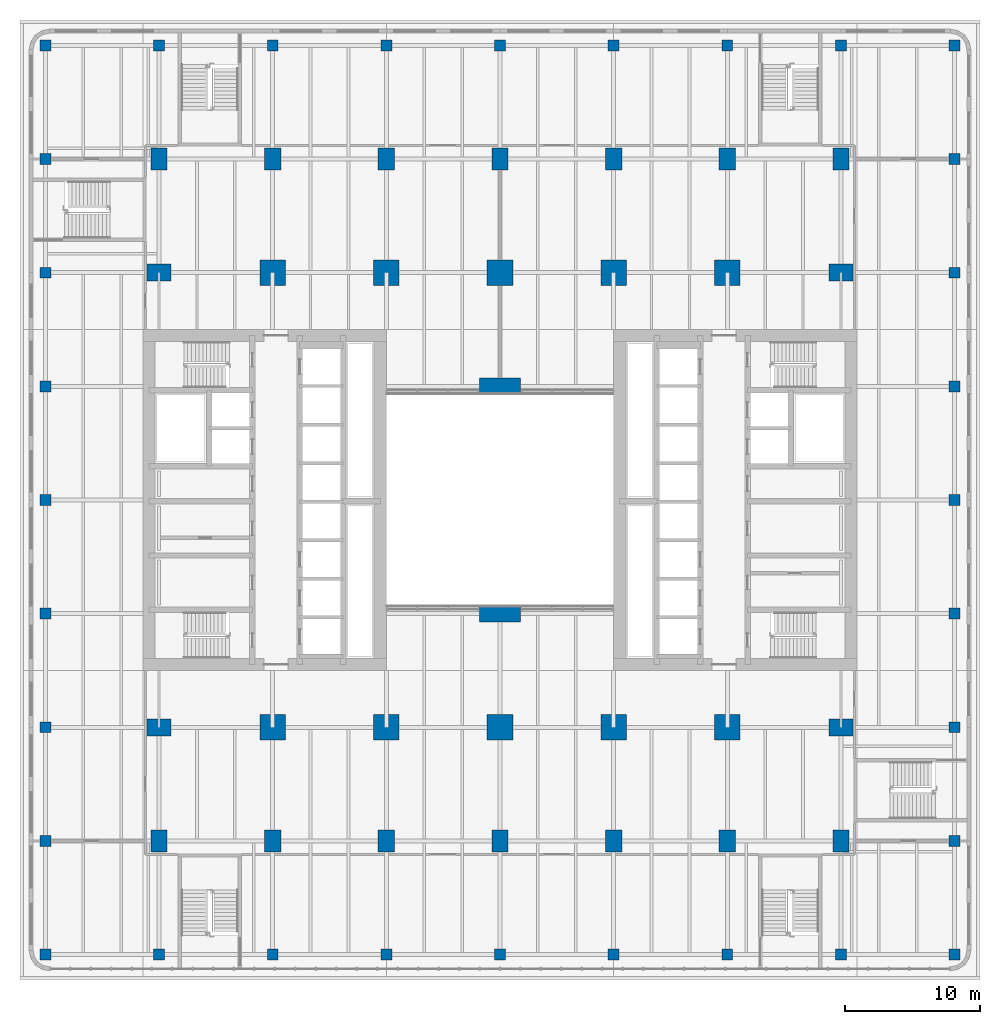
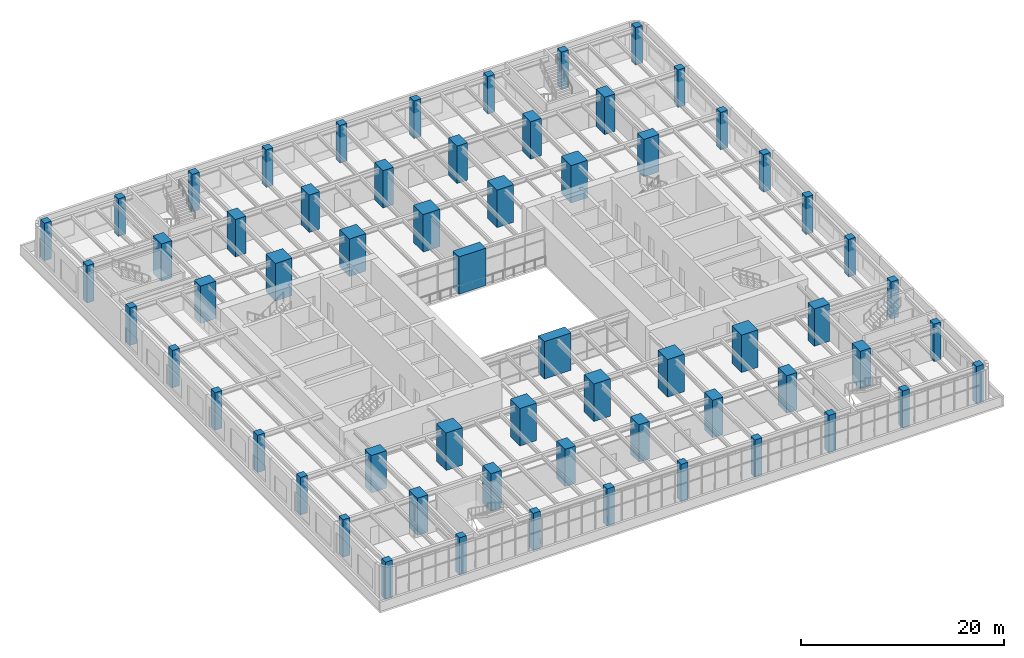
# One storey, part 1 of 30: 62 columns.
"""IFC4 building model written with IfcOpenShell, lengths in metres."""

from ifc_helpers import new_model, si_unit, direction, frame, origin, origin_2d, place, context, subcontext, project, spatial, rectangle, extrude, material, material_profile, profile_set, type_object, element, save


model = new_model("IFC4")

# Units and contexts
model_context = context("Model", 3, precision=1e-05, world=origin(), true_north=direction((0.0, 1.0)))
body_context = subcontext(model_context, "Body", "Model", "MODEL_VIEW")
ifc_project = project(units=[si_unit("LENGTHUNIT", "METRE"), si_unit("AREAUNIT", "SQUARE_METRE"), si_unit("VOLUMEUNIT", "CUBIC_METRE"), si_unit("PLANEANGLEUNIT", "RADIAN"), si_unit("MASSUNIT", "GRAM", prefix="KILO")], contexts=[model_context])

# Site, building, storey
site_placement = place(None, origin())
site = spatial("IfcSite", under=ifc_project, at=site_placement, CompositionType="ELEMENT")
building_placement = place(site_placement, origin())
building = spatial("IfcBuilding", under=site, at=building_placement, Name="Claustro Exchange Tower", CompositionType="ELEMENT")
storey_placement = place(building_placement, frame((0.0, 0.0, 5.39990234375)))
storey = spatial("IfcBuildingStorey", under=building, at=storey_placement, Name="L01", CompositionType="ELEMENT", Elevation=5.39990234375)

# Columns
ifc_material_1 = material(Name="Concrete HA-70 (C70/85)", Category="concrete")
ifc_material_profile_1 = material_profile(ifc_material_1, rectangle(XDim=1.89990234375, YDim=1.89990234375, at=origin_2d()), Name="RC 1900x1900")
ifc_profile_set_1 = profile_set([ifc_material_profile_1], Name="Concrete HA-70 (C70/85)")
column_type_1 = type_object("IfcColumnType", Name="C13 RC 1900x1900 HA-70 column", PredefinedType="COLUMN", material=ifc_profile_set_1)
for number, where, z_axis, x_axis, name in (
    (1, (8.39990234375, 8.39990234375, 0.0), (0.0, 0.0, 1.0), (1.0, 0.0, 0.0), "Column C13 2/B L01"),
    (2, (8.39990234375, 42.0, 0.0), (0.0, 0.0, 1.0), (1.0, 0.0, 0.0), "Column C13 2/F L01"),
    (3, (16.800048828125, 8.39990234375, 0.0), (0.0, 0.0, 1.0), (1.0, 0.0, 0.0), "Column C13 3/B L01"),
    (4, (16.800048828125, 42.0, 0.0), (0.0, 0.0, 1.0), (1.0, 0.0, 0.0), "Column C13 3/F L01"),
    (5, (25.199951171875, 8.39990234375, 0.0), (0.0, 0.0, 1.0), (1.0, 0.0, 0.0), "Column C13 4/B L01"),
    (6, (25.199951171875, 42.0, 0.0), (0.0, 0.0, 1.0), (1.0, 0.0, 0.0), "Column C13 4/F L01"),
    (7, (33.60009765625, 8.39990234375, 0.0), (0.0, 0.0, 1.0), (1.0, 0.0, 0.0), "Column C13 5/B L01"),
    (8, (33.60009765625, 42.0, 0.0), (0.0, 0.0, 1.0), (1.0, 0.0, 0.0), "Column C13 5/F L01"),
    (9, (42.0, 8.39990234375, 0.0), (0.0, 0.0, 1.0), (1.0, 0.0, 0.0), "Column C13 6/B L01"),
    (10, (42.0, 42.0, 0.0), (0.0, 0.0, 1.0), (1.0, 0.0, 0.0), "Column C13 6/F L01"),
):
    element("IfcColumn", number, at=place(storey_placement, frame(where, z_axis=z_axis, x_axis=x_axis)), inside=storey, type_object=column_type_1, Name=name, PredefinedType="COLUMN", context=body_context, shape_type="SweptSolid", body=[
        extrude(rectangle(XDim=1.89990234375, YDim=1.89990234375, at=origin_2d()), origin(), (0.0, 0.0, 1.0), 4.5),
    ])
ifc_material_2 = material(Name="Concrete HA-70 (C70/85)", Category="concrete")
ifc_material_profile_2 = material_profile(ifc_material_2, rectangle(XDim=1.199951171875, YDim=1.64990234375, at=origin_2d()), Name="RC 1200x1650")
ifc_profile_set_2 = profile_set([ifc_material_profile_2], Name="Concrete HA-70 (C70/85)")
column_type_2 = type_object("IfcColumnType", Name="C19 RC 1200x1650 HA-70 perimeter column", PredefinedType="COLUMN", material=ifc_profile_set_2)
for number, where, z_axis, x_axis, name in (
    (11, (0.0, 0.0, 0.0), (0.0, 0.0, 1.0), (1.0, 0.0, 0.0), "Column C19 1/A L01"),
    (12, (0.0, 50.39990234375, 0.0), (0.0, 0.0, 1.0), (1.0, 0.0, 0.0), "Column C19 1/G L01"),
    (13, (8.39990234375, 0.0, 0.0), (0.0, 0.0, 1.0), (1.0, 0.0, 0.0), "Column C19 2/A L01"),
    (14, (8.39990234375, 50.39990234375, 0.0), (0.0, 0.0, 1.0), (1.0, 0.0, 0.0), "Column C19 2/G L01"),
    (15, (16.800048828125, 0.0, 0.0), (0.0, 0.0, 1.0), (1.0, 0.0, 0.0), "Column C19 3/A L01"),
    (16, (16.800048828125, 50.39990234375, 0.0), (0.0, 0.0, 1.0), (1.0, 0.0, 0.0), "Column C19 3/G L01"),
    (17, (25.199951171875, 0.0, 0.0), (0.0, 0.0, 1.0), (1.0, 0.0, 0.0), "Column C19 4/A L01"),
    (18, (25.199951171875, 50.39990234375, 0.0), (0.0, 0.0, 1.0), (1.0, 0.0, 0.0), "Column C19 4/G L01"),
    (19, (33.60009765625, 0.0, 0.0), (0.0, 0.0, 1.0), (1.0, 0.0, 0.0), "Column C19 5/A L01"),
    (20, (33.60009765625, 50.39990234375, 0.0), (0.0, 0.0, 1.0), (1.0, 0.0, 0.0), "Column C19 5/G L01"),
    (21, (42.0, 0.0, 0.0), (0.0, 0.0, 1.0), (1.0, 0.0, 0.0), "Column C19 6/A L01"),
    (22, (42.0, 50.39990234375, 0.0), (0.0, 0.0, 1.0), (1.0, 0.0, 0.0), "Column C19 6/G L01"),
    (23, (50.39990234375, 0.0, 0.0), (0.0, 0.0, 1.0), (1.0, 0.0, 0.0), "Column C19 7/A L01"),
    (24, (50.39990234375, 50.39990234375, 0.0), (0.0, 0.0, 1.0), (1.0, 0.0, 0.0), "Column C19 7/G L01"),
):
    element("IfcColumn", number, at=place(storey_placement, frame(where, z_axis=z_axis, x_axis=x_axis)), inside=storey, type_object=column_type_2, Name=name, PredefinedType="COLUMN", context=body_context, shape_type="SweptSolid", body=[
        extrude(rectangle(XDim=1.199951171875, YDim=1.64990234375, at=origin_2d()), origin(), (0.0, 0.0, 1.0), 4.5),
    ])
ifc_material_3 = material(Name="Concrete HA-70 (C70/85)", Category="concrete")
ifc_material_profile_3 = material_profile(ifc_material_3, rectangle(XDim=3.050048828125, YDim=1.199951171875, at=origin_2d()), Name="RC 3050x1200")
ifc_profile_set_3 = profile_set([ifc_material_profile_3], Name="Concrete HA-70 (C70/85)")
column_type_3 = type_object("IfcColumnType", Name="C29 RC 3050x1200 HA-70 light well column", PredefinedType="COLUMN", material=ifc_profile_set_3)
for number, where, z_axis, x_axis, name in (
    (25, (25.199951171875, 16.800048828125, 0.0), (0.0, 0.0, 1.0), (1.0, 0.0, 0.0), "Column C29 4/C L01"),
    (26, (25.199951171875, 33.60009765625, 0.0), (0.0, 0.0, 1.0), (1.0, 0.0, 0.0), "Column C29 4/E L01"),
):
    element("IfcColumn", number, at=place(storey_placement, frame(where, z_axis=z_axis, x_axis=x_axis)), inside=storey, type_object=column_type_3, Name=name, PredefinedType="COLUMN", context=body_context, shape_type="SweptSolid", body=[
        extrude(rectangle(XDim=3.050048828125, YDim=1.199951171875, at=origin_2d()), origin(), (0.0, 0.0, 1.0), 4.5),
    ])
ifc_material_4 = material(Name="Concrete HA-50 (C50/60)", Category="concrete")
ifc_material_profile_4 = material_profile(ifc_material_4, rectangle(XDim=0.800048828125, YDim=0.800048828125, at=origin_2d()), Name="RC 800x800")
ifc_profile_set_4 = profile_set([ifc_material_profile_4], Name="Concrete HA-50 (C50/60)")
column_type_4 = type_object("IfcColumnType", Name="C4 RC 800x800 HA-50 column", PredefinedType="COLUMN", material=ifc_profile_set_4)
for number, where, z_axis, x_axis, name in (
    (27, (-8.39990234375, -8.39990234375, 0.0), (0.0, 0.0, 1.0), (1.0, 0.0, 0.0), "Column C4 1+-8400/A+-8400 L01"),
    (28, (-8.39990234375, 0.0, 0.0), (0.0, 0.0, 1.0), (1.0, 0.0, 0.0), "Column C4 1+-8400/A L01"),
    (29, (-8.39990234375, 8.39990234375, 0.0), (0.0, 0.0, 1.0), (1.0, 0.0, 0.0), "Column C4 1+-8400/B L01"),
    (30, (-8.39990234375, 16.800048828125, 0.0), (0.0, 0.0, 1.0), (1.0, 0.0, 0.0), "Column C4 1+-8400/C L01"),
    (31, (-8.39990234375, 25.199951171875, 0.0), (0.0, 0.0, 1.0), (1.0, 0.0, 0.0), "Column C4 1+-8400/D L01"),
    (32, (-8.39990234375, 33.60009765625, 0.0), (0.0, 0.0, 1.0), (1.0, 0.0, 0.0), "Column C4 1+-8400/E L01"),
    (33, (-8.39990234375, 42.0, 0.0), (0.0, 0.0, 1.0), (1.0, 0.0, 0.0), "Column C4 1+-8400/F L01"),
    (34, (-8.39990234375, 50.39990234375, 0.0), (0.0, 0.0, 1.0), (1.0, 0.0, 0.0), "Column C4 1+-8400/G L01"),
    (35, (-8.39990234375, 58.800048828125, 0.0), (0.0, 0.0, 1.0), (1.0, 0.0, 0.0), "Column C4 1+-8400/G+8400 L01"),
    (36, (0.0, -8.39990234375, 0.0), (0.0, 0.0, 1.0), (1.0, 0.0, 0.0), "Column C4 1/A+-8400 L01"),
    (37, (0.0, 58.800048828125, 0.0), (0.0, 0.0, 1.0), (1.0, 0.0, 0.0), "Column C4 1/G+8400 L01"),
    (38, (8.39990234375, -8.39990234375, 0.0), (0.0, 0.0, 1.0), (1.0, 0.0, 0.0), "Column C4 2/A+-8400 L01"),
    (39, (8.39990234375, 58.800048828125, 0.0), (0.0, 0.0, 1.0), (1.0, 0.0, 0.0), "Column C4 2/G+8400 L01"),
    (40, (16.800048828125, -8.39990234375, 0.0), (0.0, 0.0, 1.0), (1.0, 0.0, 0.0), "Column C4 3/A+-8400 L01"),
    (41, (16.800048828125, 58.800048828125, 0.0), (0.0, 0.0, 1.0), (1.0, 0.0, 0.0), "Column C4 3/G+8400 L01"),
    (42, (25.199951171875, -8.39990234375, 0.0), (0.0, 0.0, 1.0), (1.0, 0.0, 0.0), "Column C4 4/A+-8400 L01"),
    (43, (25.199951171875, 58.800048828125, 0.0), (0.0, 0.0, 1.0), (1.0, 0.0, 0.0), "Column C4 4/G+8400 L01"),
    (44, (33.60009765625, -8.39990234375, 0.0), (0.0, 0.0, 1.0), (1.0, 0.0, 0.0), "Column C4 5/A+-8400 L01"),
    (45, (33.60009765625, 58.800048828125, 0.0), (0.0, 0.0, 1.0), (1.0, 0.0, 0.0), "Column C4 5/G+8400 L01"),
    (46, (42.0, -8.39990234375, 0.0), (0.0, 0.0, 1.0), (1.0, 0.0, 0.0), "Column C4 6/A+-8400 L01"),
    (47, (42.0, 58.800048828125, 0.0), (0.0, 0.0, 1.0), (1.0, 0.0, 0.0), "Column C4 6/G+8400 L01"),
    (48, (50.39990234375, -8.39990234375, 0.0), (0.0, 0.0, 1.0), (1.0, 0.0, 0.0), "Column C4 7/A+-8400 L01"),
    (49, (50.39990234375, 58.800048828125, 0.0), (0.0, 0.0, 1.0), (1.0, 0.0, 0.0), "Column C4 7/G+8400 L01"),
    (50, (58.800048828125, -8.39990234375, 0.0), (0.0, 0.0, 1.0), (1.0, 0.0, 0.0), "Column C4 7+8400/A+-8400 L01"),
    (51, (58.800048828125, 0.0, 0.0), (0.0, 0.0, 1.0), (1.0, 0.0, 0.0), "Column C4 7+8400/A L01"),
    (52, (58.800048828125, 8.39990234375, 0.0), (0.0, 0.0, 1.0), (1.0, 0.0, 0.0), "Column C4 7+8400/B L01"),
    (53, (58.800048828125, 16.800048828125, 0.0), (0.0, 0.0, 1.0), (1.0, 0.0, 0.0), "Column C4 7+8400/C L01"),
    (54, (58.800048828125, 25.199951171875, 0.0), (0.0, 0.0, 1.0), (1.0, 0.0, 0.0), "Column C4 7+8400/D L01"),
    (55, (58.800048828125, 33.60009765625, 0.0), (0.0, 0.0, 1.0), (1.0, 0.0, 0.0), "Column C4 7+8400/E L01"),
    (56, (58.800048828125, 42.0, 0.0), (0.0, 0.0, 1.0), (1.0, 0.0, 0.0), "Column C4 7+8400/F L01"),
    (57, (58.800048828125, 50.39990234375, 0.0), (0.0, 0.0, 1.0), (1.0, 0.0, 0.0), "Column C4 7+8400/G L01"),
    (58, (58.800048828125, 58.800048828125, 0.0), (0.0, 0.0, 1.0), (1.0, 0.0, 0.0), "Column C4 7+8400/G+8400 L01"),
):
    element("IfcColumn", number, at=place(storey_placement, frame(where, z_axis=z_axis, x_axis=x_axis)), inside=storey, type_object=column_type_4, Name=name, PredefinedType="COLUMN", context=body_context, shape_type="SweptSolid", body=[
        extrude(rectangle(XDim=0.800048828125, YDim=0.800048828125, at=origin_2d()), origin(), (0.0, 0.0, 1.0), 4.5),
    ])
ifc_material_5 = material(Name="Concrete HA-70 (C70/85)", Category="concrete")
ifc_material_profile_5 = material_profile(ifc_material_5, rectangle(XDim=1.25, YDim=1.75, at=origin_2d()), Name="RC 1250x1750")
ifc_profile_set_5 = profile_set([ifc_material_profile_5], Name="Concrete HA-70 (C70/85)")
column_type_5 = type_object("IfcColumnType", Name="C41 RC 1250x1750 HA-70 perimeter column", PredefinedType="COLUMN", material=ifc_profile_set_5)
for number, where, z_axis, x_axis, name in (
    (59, (0.0, 8.39990234375, 0.0), (0.0, 0.0, 1.0), (0.0, 1.0, 0.0), "Column C41 1/B L01"),
    (60, (0.0, 42.0, 0.0), (0.0, 0.0, 1.0), (0.0, 1.0, 0.0), "Column C41 1/F L01"),
    (61, (50.39990234375, 8.39990234375, 0.0), (0.0, 0.0, 1.0), (0.0, 1.0, 0.0), "Column C41 7/B L01"),
    (62, (50.39990234375, 42.0, 0.0), (0.0, 0.0, 1.0), (0.0, 1.0, 0.0), "Column C41 7/F L01"),
):
    element("IfcColumn", number, at=place(storey_placement, frame(where, z_axis=z_axis, x_axis=x_axis)), inside=storey, type_object=column_type_5, Name=name, PredefinedType="COLUMN", context=body_context, shape_type="SweptSolid", body=[
        extrude(rectangle(XDim=1.25, YDim=1.75, at=origin_2d()), origin(), (0.0, 0.0, 1.0), 4.5),
    ])

save(model, "model.ifc")
